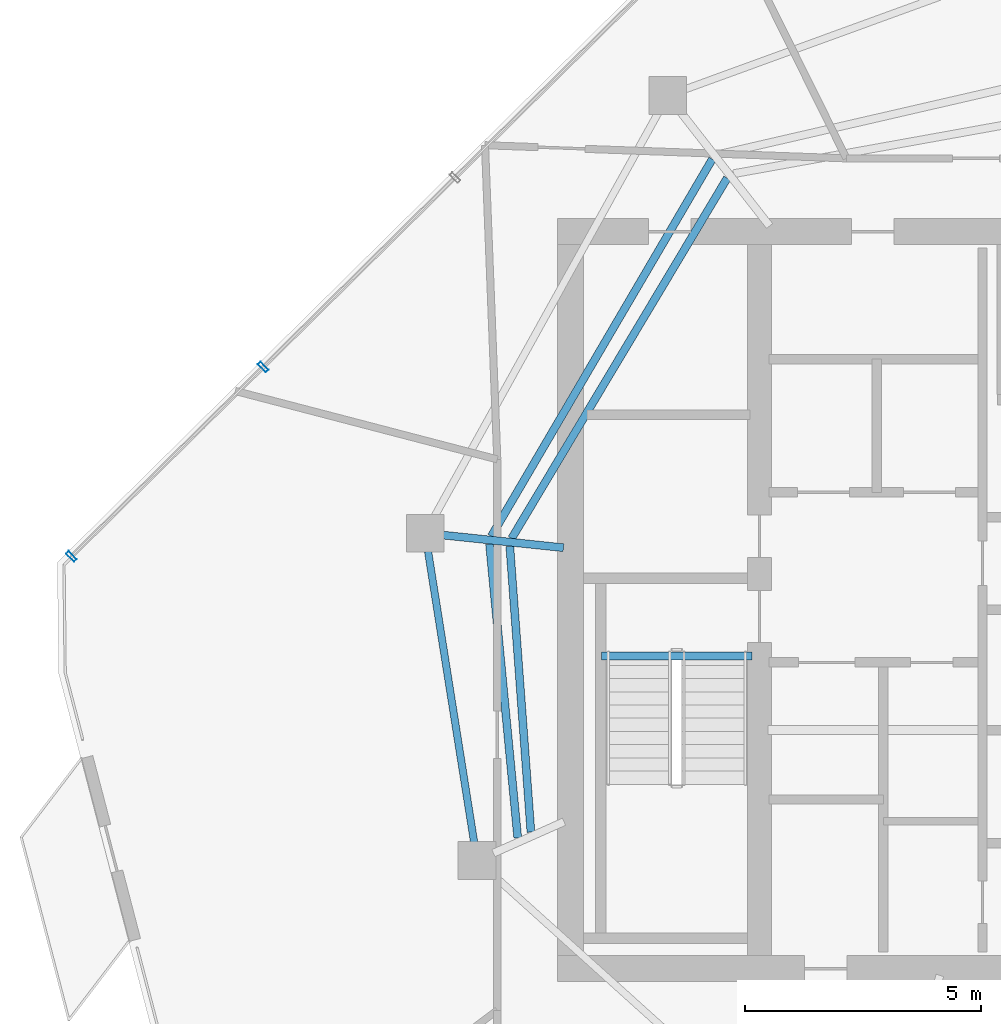
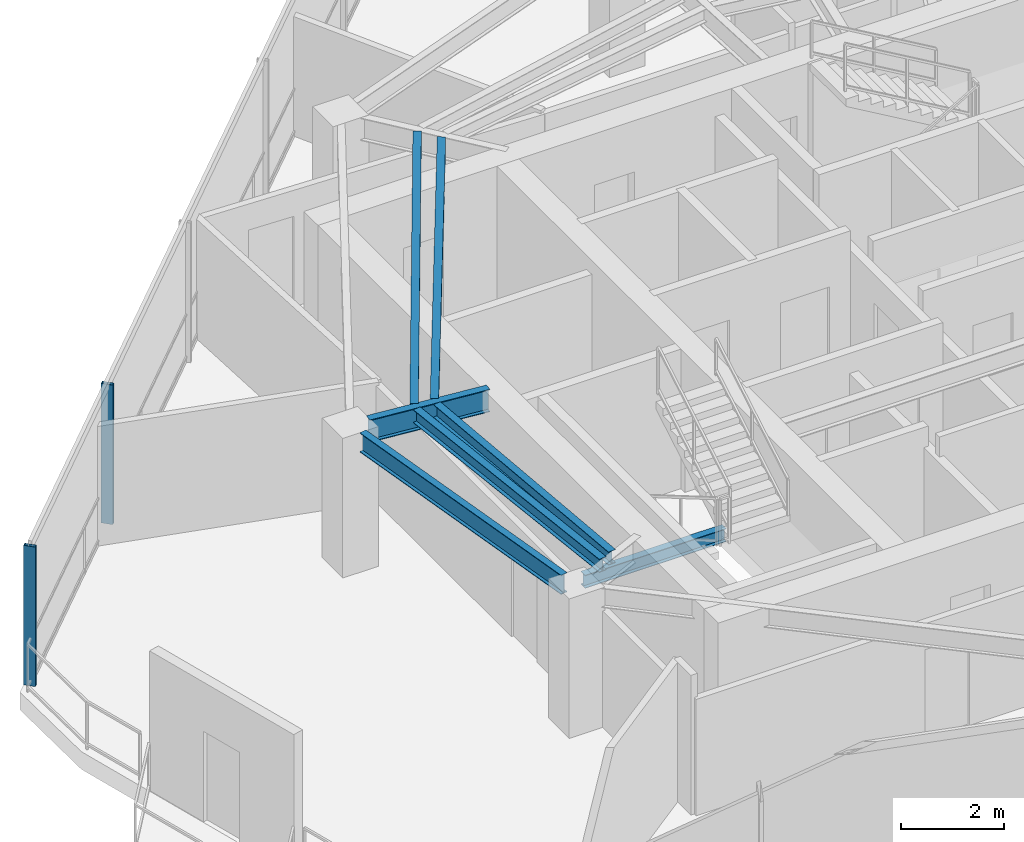
# One storey, part 6 of 19: 7 beams, 2 members, 1 element without a shape of its own.
"""IFC4 building model written with IfcOpenShell, lengths in metres."""

from ifc_helpers import new_model, si_unit, direction, frame, origin, origin_2d, place, context, subcontext, project, spatial, hollow_rectangle, i_section, extrude, material, layer, layer_set, material_profile, profile_set, type_object, element, aggregate, save


model = new_model("IFC4")

# Units and contexts
model_context = context("Model", 3, precision=1e-05, world=origin(), true_north=direction((0.0, 1.0)))
body_context = subcontext(model_context, "Body", "Model", "MODEL_VIEW")
ifc_project = project(units=[si_unit("LENGTHUNIT", "METRE"), si_unit("AREAUNIT", "SQUARE_METRE"), si_unit("VOLUMEUNIT", "CUBIC_METRE"), si_unit("PLANEANGLEUNIT", "RADIAN"), si_unit("MASSUNIT", "GRAM", prefix="KILO")], contexts=[model_context])

# Site, building, storey
site_placement = place(None, origin())
site = spatial("IfcSite", under=ifc_project, at=site_placement, CompositionType="ELEMENT")
building_placement = place(site_placement, origin())
building = spatial("IfcBuilding", under=site, at=building_placement, Name="Qarnah Convention Tower", CompositionType="ELEMENT")
storey_placement = place(building_placement, frame((0.0, 0.0, 235.5)))
storey = spatial("IfcBuildingStorey", under=building, at=storey_placement, Name="L63", CompositionType="ELEMENT", Elevation=235.5)

# Beams
ifc_material_1 = material(Name="Structural steel S355JR", Category="steel")
ifc_material_profile_1 = material_profile(ifc_material_1, i_section(OverallWidth=0.166015625, OverallDepth=0.31201171875, WebThickness=0.007080078125, FlangeThickness=0.010986328125, at=origin_2d()), Name="W310X45")
ifc_profile_set_1 = profile_set([ifc_material_profile_1], Name="Structural steel S355JR")
beam_type_1 = type_object("IfcBeamType", Name="BM-JST-W310", PredefinedType="JOIST", material=ifc_profile_set_1)
beam_1_placement = place(storey_placement, frame((27.4599609375, 25.217041015625, -0.156005859375), z_axis=(1.0, 0.0, 0.0), x_axis=(0.0, 1.0, 0.0)))
element("IfcBeam", 1, at=beam_1_placement, inside=storey, type_object=beam_type_1, Name="L63 stair landing trimmer beam BM-L63-ST1-TRM", PredefinedType="BEAM", context=body_context, shape_type="SweptSolid", body=[
    extrude(i_section(OverallWidth=0.166015625, OverallDepth=0.31201171875, WebThickness=0.007080078125, FlangeThickness=0.010986328125, at=origin_2d()), origin(), (0.0, 0.0, 1.0), 3.179931640625),
])
beam_2_placement = place(storey_placement, frame((29.801025390625, 35.73388671875, 3.1640625), z_axis=(-0.505632134477, -0.862749178258, 0.0), x_axis=(0.862749178258, -0.505632134477, 0.0)))
element("IfcBeam", 2, at=beam_2_placement, inside=storey, type_object=beam_type_1, Name="L63 joist BM-L63-SJST-04", PredefinedType="JOIST", context=body_context, shape_type="SweptSolid", body=[
    extrude(i_section(OverallWidth=0.166015625, OverallDepth=0.31201171875, WebThickness=0.007080078125, FlangeThickness=0.010986328125, at=origin_2d()), origin(), (0.0, 0.0, 1.0), 9.251708984375),
])
beam_3_placement = place(storey_placement, frame((25.0859375, 27.583984375, 3.1640625), z_axis=(0.095613342709, -0.995418549504, 0.0), x_axis=(0.995418549504, 0.095613342709, 0.0)))
element("IfcBeam", 3, at=beam_3_placement, inside=storey, type_object=beam_type_1, Name="L63 joist BM-L63-SJST-05", PredefinedType="JOIST", context=body_context, shape_type="SweptSolid", body=[
    extrude(i_section(OverallWidth=0.166015625, OverallDepth=0.31201171875, WebThickness=0.007080078125, FlangeThickness=0.010986328125, at=origin_2d()), origin(), (0.0, 0.0, 1.0), 6.24560546875),
])
beam_4_placement = place(storey_placement, frame((30.115966796875, 35.33203125, 3.1640625), z_axis=(-0.513372127696, -0.858166101932, 0.0), x_axis=(0.858166101932, -0.513372127696, 0.0)))
element("IfcBeam", 4, at=beam_4_placement, inside=storey, type_object=beam_type_1, Name="L63 joist BM-L63-IJST-04", PredefinedType="JOIST", context=body_context, shape_type="SweptSolid", body=[
    extrude(i_section(OverallWidth=0.166015625, OverallDepth=0.31201171875, WebThickness=0.007080078125, FlangeThickness=0.010986328125, at=origin_2d()), origin(), (0.0, 0.0, 1.0), 8.886474609375),
])
beam_5_placement = place(storey_placement, frame((25.514892578125, 27.5390625, 3.1640625), z_axis=(0.073698218425, -0.997280588702, 0.0), x_axis=(0.997280588702, 0.073698218425, 0.0)))
element("IfcBeam", 5, at=beam_5_placement, inside=storey, type_object=beam_type_1, Name="L63 joist BM-L63-IJST-05", PredefinedType="JOIST", context=body_context, shape_type="SweptSolid", body=[
    extrude(i_section(OverallWidth=0.166015625, OverallDepth=0.31201171875, WebThickness=0.007080078125, FlangeThickness=0.010986328125, at=origin_2d()), origin(), (0.0, 0.0, 1.0), 6.065673828125),
])
ifc_material_profile_2 = material_profile(ifc_material_1, i_section(OverallWidth=0.166015625, OverallDepth=0.535888671875, WebThickness=0.010009765625, FlangeThickness=0.01708984375, at=origin_2d()), Name="W530X85")
ifc_profile_set_2 = profile_set([ifc_material_profile_2], Name="Structural steel S355JR")
beam_type_2 = type_object("IfcBeamType", Name="BM-RAD-W530B", PredefinedType="BEAM", material=ifc_profile_set_2)
beam_6_placement = place(storey_placement, frame((26.65087890625, 27.509033203125, 3.052001953125), z_axis=(-0.994564280912, 0.104124402207, 0.0), x_axis=(-0.104124402207, -0.994564280912, 0.0)))
element("IfcBeam", 6, at=beam_6_placement, inside=storey, type_object=beam_type_2, Name="L63 beam BM-L63-RAD-05", PredefinedType="BEAM", context=body_context, shape_type="SweptSolid", body=[
    extrude(i_section(OverallWidth=0.166015625, OverallDepth=0.535888671875, WebThickness=0.010009765625, FlangeThickness=0.01708984375, at=origin_2d()), origin(), (0.0, 0.0, 1.0), 2.562744140625),
])
ifc_material_profile_3 = material_profile(ifc_material_1, i_section(OverallWidth=0.154052734375, OverallDepth=0.4599609375, WebThickness=0.009033203125, FlangeThickness=0.014892578125, at=origin_2d()), Name="W460X68")
ifc_profile_set_3 = profile_set([ifc_material_profile_3], Name="Structural steel S355JR")
beam_type_3 = type_object("IfcBeamType", Name="BM-SPN-W460B", PredefinedType="SPANDREL", material=ifc_profile_set_3)
beam_7_placement = place(storey_placement, frame((23.784912109375, 27.430908203125, 3.090087890625), z_axis=(0.156423110156, -0.987690138965, 0.0), x_axis=(0.987690138965, 0.156423110156, 0.0)))
element("IfcBeam", 7, at=beam_7_placement, inside=storey, type_object=beam_type_3, Name="L63 spandrel BM-L63-SPN-05", PredefinedType="SPANDREL", context=body_context, shape_type="SweptSolid", body=[
    extrude(i_section(OverallWidth=0.154052734375, OverallDepth=0.4599609375, WebThickness=0.009033203125, FlangeThickness=0.014892578125, at=origin_2d()), origin(), (0.0, 0.0, 1.0), 6.233642578125),
])

# Curtain wall, members
ifc_material_2 = material(Name="Tempered Low-E dark glass", Category="glass")
ifc_layer = layer(ifc_material_2, 0.176025390625)
ifc_layer_set = layer_set([ifc_layer], Name="Tempered Low-E dark glass")
curtain_wall_type = type_object("IfcCurtainWallType", Name="CWS-05", PredefinedType="NOTDEFINED", material=ifc_layer_set)
curtain_wall_placement = place(storey_placement, origin())
curtain_wall = element("IfcCurtainWall", 8, at=curtain_wall_placement, inside=storey, type_object=curtain_wall_type, Name="L63 unitised curtain wall CW-L63-F2", PredefinedType="NOTDEFINED")
ifc_material_3 = material(Name="Black anodised aluminium", Category="aluminium")
ifc_material_profile_4 = material_profile(ifc_material_3, hollow_rectangle(XDim=0.080078125, YDim=0.239990234375, WallThickness=0.0048828125, at=origin_2d()), Name="MUL-80X240")
ifc_profile_set_4 = profile_set([ifc_material_profile_4], Name="Black anodised aluminium")
member_type = type_object("IfcMemberType", Name="MUL-T5", PredefinedType="MULLION", material=ifc_profile_set_4)
member_1_placement = place(storey_placement, frame((16.236083984375, 27.325927734375, 0.0), z_axis=(0.0, 0.0, 1.0), x_axis=(0.711543869216, 0.702641674099, 0.0)))
member_1 = element("IfcMember", 9, at=member_1_placement, type_object=member_type, Name="CW-L63-F2 mullion 1", PredefinedType="MULLION", context=body_context, shape_type="SweptSolid", body=[
    extrude(hollow_rectangle(XDim=0.080078125, YDim=0.239990234375, WallThickness=0.0048828125, at=origin_2d()), origin(), (0.0, 0.0, 1.0), 3.320068359375),
])
member_2_placement = place(storey_placement, frame((20.29638671875, 31.335693359375, 0.0), z_axis=(0.0, 0.0, 1.0), x_axis=(0.711543869216, 0.702641674099, 0.0)))
member_2 = element("IfcMember", 10, at=member_2_placement, type_object=member_type, Name="CW-L63-F2 mullion 2", PredefinedType="MULLION", context=body_context, shape_type="SweptSolid", body=[
    extrude(hollow_rectangle(XDim=0.080078125, YDim=0.239990234375, WallThickness=0.0048828125, at=origin_2d()), origin(), (0.0, 0.0, 1.0), 3.320068359375),
])
aggregate(curtain_wall, [member_1, member_2])

save(model, "model.ifc")
